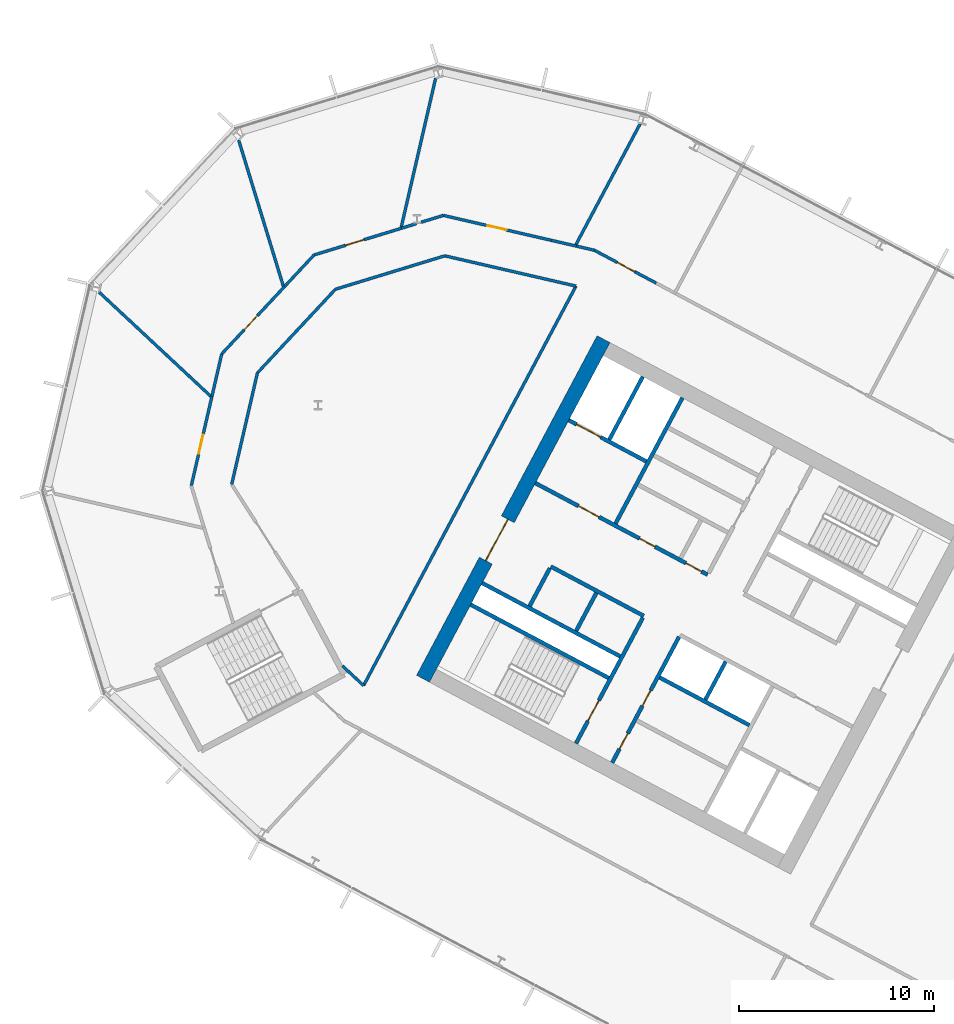
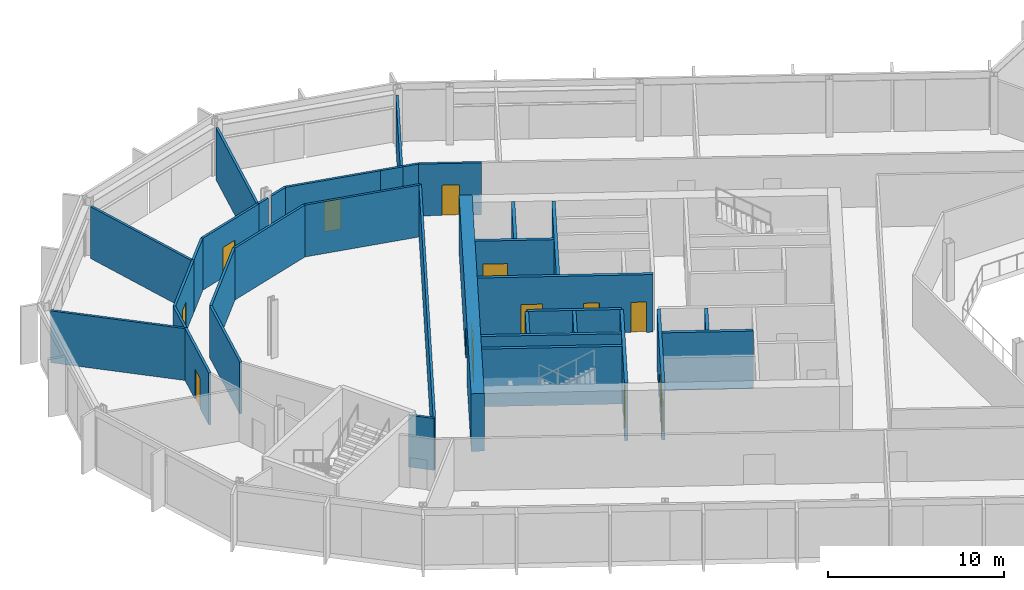
# One storey, part 14 of 28: 35 walls, 13 doors, 13 openings.
"""IFC4 building model written with IfcOpenShell, lengths in metres."""

from ifc_helpers import new_model, si_unit, direction, frame, frame_2d, origin, place, context, subcontext, project, spatial, rectangle, extrude, material, layer, layer_set, type_object, element, fill, save


model = new_model("IFC4")

# Units and contexts
model_context = context("Model", 3, precision=1e-05, world=origin(), true_north=direction((0.0, 1.0)))
body_context = subcontext(model_context, "Body", "Model", "MODEL_VIEW")
ifc_project = project(units=[si_unit("LENGTHUNIT", "METRE"), si_unit("AREAUNIT", "SQUARE_METRE"), si_unit("VOLUMEUNIT", "CUBIC_METRE"), si_unit("PLANEANGLEUNIT", "RADIAN"), si_unit("MASSUNIT", "GRAM", prefix="KILO")], contexts=[model_context])

# Site, building, storey
site_placement = place(None, origin())
site = spatial("IfcSite", under=ifc_project, at=site_placement, CompositionType="ELEMENT")
building_placement = place(site_placement, origin())
building = spatial("IfcBuilding", under=site, at=building_placement, Name="Cormorant Relay Tower", CompositionType="ELEMENT")
storey_placement = place(building_placement, frame((0.0, 0.0, 174.199951171875)))
storey = spatial("IfcBuildingStorey", under=building, at=storey_placement, Name="L37", CompositionType="ELEMENT", Elevation=174.199951171875)

# Walls
ifc_material_1 = material(Name="Concrete 40 MPa", Category="concrete")
ifc_layer_1 = layer(ifc_material_1, 0.199951171875)
ifc_layer_set_1 = layer_set([ifc_layer_1], Name="Core internal wall 200")
wall_type_1 = type_object("IfcWallType", Name="Core internal wall 200", PredefinedType="SOLIDWALL", material=ifc_layer_set_1)
for number, where, z_axis, x_axis, name in (
    (1, (-25.744140625, 11.64990234375, 0.0), (0.0, 0.0, 1.0), (-0.469487830541, -0.882938942948, 0.0), "L37 core A shaft and room wall"),
    (2, (-32.3662109375, 15.1708984375, 0.0), (0.0, 0.0, 1.0), (-0.469487830541, -0.882938942948, 0.0), "L37 core A shaft and room wall"),
):
    element("IfcWall", number, at=place(storey_placement, frame(where, z_axis=z_axis, x_axis=x_axis)), inside=storey, type_object=wall_type_1, Name=name, PredefinedType="SOLIDWALL", context=body_context, shape_type="SweptSolid", body=[
        extrude(rectangle(XDim=2.2001953125, YDim=0.199951171875, at=frame_2d((1.10009765625, 0.0))), origin(), (0.0, 0.0, 1.0), 4.0),
    ])

# Wall, openings, doors
ifc_material_2 = material(Name="Concrete 50 MPa", Category="concrete")
ifc_layer_2 = layer(ifc_material_2, 0.199951171875)
ifc_layer_set_2 = layer_set([ifc_layer_2], Name="Core shaft wall 200")
wall_type_2 = type_object("IfcWallType", Name="Core shaft wall 200", PredefinedType="SHEAR", material=ifc_layer_set_2)
wall_1_placement = place(storey_placement, frame((-28.128173828125, 12.91748046875, 0.0), z_axis=(0.0, 0.0, 1.0), x_axis=(-0.469454336211, -0.882956752176, 0.0)))
wall_1 = element("IfcWall", 3, at=wall_1_placement, inside=storey, type_object=wall_type_2, Name="L37 core A shaft wall", PredefinedType="SHEAR", context=body_context, shape_type="SweptSolid", body=[
    extrude(rectangle(XDim=7.300048828125, YDim=0.199951171875, at=frame_2d((3.64990234375, 0.0))), origin(), (0.0, 0.0, 1.0), 4.0),
])
opening_1_placement = place(wall_1_placement, frame((3.10009765625, 0.0, 0.0)))
opening_1 = element("IfcOpeningElement", 4, at=opening_1_placement, cuts=wall_1, Name="Opening CDD-210", PredefinedType="OPENING", context=body_context, shape_type="SweptSolid", body=[
    extrude(rectangle(XDim=0.89990234375, YDim=2.10009765625, at=frame_2d((0.449951171875, 1.050048828125))), frame((0.0, 0.10986328125, 0.0), z_axis=(0.0, -1.0, 0.0), x_axis=(1.0, 0.0, 0.0)), (0.0, 0.0, 1.0), 0.219970703125),
])
opening_2_placement = place(wall_1_placement, frame((5.60009765625, 0.0, 0.0)))
opening_2 = element("IfcOpeningElement", 5, at=opening_2_placement, cuts=wall_1, Name="Opening CDD-211", PredefinedType="OPENING", context=body_context, shape_type="SweptSolid", body=[
    extrude(rectangle(XDim=0.89990234375, YDim=2.10009765625, at=frame_2d((0.449951171875, 1.050048828125))), frame((0.0, 0.10986328125, 0.0), z_axis=(0.0, -1.0, 0.0), x_axis=(1.0, 0.0, 0.0)), (0.0, 0.0, 1.0), 0.219970703125),
])
ifc_material_3 = material(Name="Steel fire door", Category="steel")
door_type_1 = type_object("IfcDoorType", Name="Core room door 900x2100", OperationType="SINGLE_SWING_LEFT", PredefinedType="DOOR", material=ifc_material_3)
door_1_placement = place(opening_1_placement, origin())
door_1 = element("IfcDoor", 6, at=door_1_placement, inside=storey, type_object=door_type_1, Name="Core room door 900x2100", OperationType="SINGLE_SWING_LEFT", OverallHeight=2.10009765625, OverallWidth=0.89990234375, PredefinedType="DOOR", context=body_context, shape_type="SweptSolid", body=[
    extrude(rectangle(XDim=0.89990234375, YDim=2.10009765625, at=frame_2d((0.449951171875, 1.050048828125))), frame((0.0, 0.02490234375, 0.0), z_axis=(0.0, -1.0, 0.0), x_axis=(1.0, 0.0, 0.0)), (0.0, 0.0, 1.0), 0.050048828125),
])
fill(opening_1, door_1)
door_2_placement = place(opening_2_placement, origin())
door_2 = element("IfcDoor", 7, at=door_2_placement, inside=storey, type_object=door_type_1, Name="Core room door 900x2100", OperationType="SINGLE_SWING_LEFT", OverallHeight=2.10009765625, OverallWidth=0.89990234375, PredefinedType="DOOR", context=body_context, shape_type="SweptSolid", body=[
    extrude(rectangle(XDim=0.89990234375, YDim=2.10009765625, at=frame_2d((0.449951171875, 1.050048828125))), frame((0.0, 0.02490234375, 0.0), z_axis=(0.0, -1.0, 0.0), x_axis=(1.0, 0.0, 0.0)), (0.0, 0.0, 1.0), 0.050048828125),
])
fill(opening_2, door_2)

# Wall, opening, door
wall_2_placement = place(storey_placement, frame((-29.982421875, 13.9033203125, 0.0), z_axis=(0.0, 0.0, 1.0), x_axis=(-0.469454336211, -0.882956752176, 0.0)))
wall_2 = element("IfcWall", 8, at=wall_2_placement, inside=storey, type_object=wall_type_2, Name="L37 core A shaft wall", PredefinedType="SHEAR", context=body_context, shape_type="SweptSolid", body=[
    extrude(rectangle(XDim=7.300048828125, YDim=0.199951171875, at=frame_2d((3.64990234375, 0.0))), origin(), (0.0, 0.0, 1.0), 4.0),
])
opening_3_placement = place(wall_2_placement, frame((4.800048828125, 0.0, 0.0)))
opening_3 = element("IfcOpeningElement", 9, at=opening_3_placement, cuts=wall_2, Name="Opening CDB-035", PredefinedType="OPENING", context=body_context, shape_type="SweptSolid", body=[
    extrude(rectangle(XDim=1.199951171875, YDim=2.10009765625, at=frame_2d((0.60009765625, 1.050048828125))), frame((0.0, 0.10986328125, 0.0), z_axis=(0.0, -1.0, 0.0), x_axis=(1.0, 0.0, 0.0)), (0.0, 0.0, 1.0), 0.219970703125),
])
ifc_material_4 = material(Name="Steel fire door", Category="steel")
door_type_2 = type_object("IfcDoorType", Name="Core stair door 1200x2100", OperationType="SINGLE_SWING_LEFT", PredefinedType="DOOR", material=ifc_material_4)
door_3_placement = place(opening_3_placement, frame((1.199951171875, 0.0, 0.0), z_axis=(0.0, 0.0, 1.0), x_axis=(-1.0, 0.0, 0.0)))
door_3 = element("IfcDoor", 10, at=door_3_placement, inside=storey, type_object=door_type_2, Name="Core stair door 1200x2100", OperationType="SINGLE_SWING_RIGHT", OverallHeight=2.10009765625, OverallWidth=1.199951171875, PredefinedType="DOOR", context=body_context, shape_type="SweptSolid", body=[
    extrude(rectangle(XDim=1.199951171875, YDim=2.10009765625, at=frame_2d((0.60009765625, 1.050048828125))), frame((0.0, 0.02490234375, 0.0), z_axis=(0.0, -1.0, 0.0), x_axis=(1.0, 0.0, 0.0)), (0.0, 0.0, 1.0), 0.050048828125),
])
fill(opening_3, door_3)

# Walls
wall_3_placement = place(storey_placement, frame((-27.955322265625, 25.170654296875, 0.0), z_axis=(0.0, 0.0, 1.0), x_axis=(-0.469480409012, -0.88294288918, 0.0)))
element("IfcWall", 11, at=wall_3_placement, inside=storey, type_object=wall_type_2, Name="L37 core A shaft wall", PredefinedType="SHEAR", context=body_context, shape_type="SweptSolid", body=[
    extrude(rectangle(XDim=7.300048828125, YDim=0.199951171875, at=frame_2d((3.64990234375, 0.0))), origin(), (0.0, 0.0, 1.0), 4.0),
])
wall_4_placement = place(storey_placement, frame((-34.750244140625, 16.4384765625, 0.0), z_axis=(0.0, 0.0, 1.0), x_axis=(-0.469401318492, -0.882984938828, 0.0)))
element("IfcWall", 12, at=wall_4_placement, inside=storey, type_object=wall_type_2, Name="L37 core A shaft wall", PredefinedType="SHEAR", context=body_context, shape_type="SweptSolid", body=[
    extrude(rectangle(XDim=2.199951171875, YDim=0.199951171875, at=frame_2d((1.10009765625, 0.0))), origin(), (0.0, 0.0, 1.0), 4.0),
])
wall_5_placement = place(storey_placement, frame((-29.986083984375, 26.250244140625, 0.0), z_axis=(0.0, 0.0, 1.0), x_axis=(-0.469494272526, -0.882935517501, 0.0)))
element("IfcWall", 13, at=wall_5_placement, inside=storey, type_object=wall_type_2, Name="L37 core A shaft wall", PredefinedType="SHEAR", context=body_context, shape_type="SweptSolid", body=[
    extrude(rectangle(XDim=3.64990234375, YDim=0.199951171875, at=frame_2d((1.824951171875, 0.0))), origin(), (0.0, 0.0, 1.0), 4.0),
])

# Wall, opening, door
wall_6_placement = place(storey_placement, frame((-29.80419921875, 21.906494140625, 0.0), z_axis=(0.0, 0.0, 1.0), x_axis=(-0.882960433586, 0.469447412093, 0.0)))
wall_6 = element("IfcWall", 14, at=wall_6_placement, inside=storey, type_object=wall_type_2, Name="L37 core A shaft wall", PredefinedType="SHEAR", context=body_context, shape_type="SweptSolid", body=[
    extrude(rectangle(XDim=4.5, YDim=0.199951171875, at=frame_2d((2.25, 0.0))), origin(), (0.0, 0.0, 1.0), 4.0),
])
opening_4_placement = place(wall_6_placement, frame((2.64990234375, 0.0, 0.0)))
opening_4 = element("IfcOpeningElement", 15, at=opening_4_placement, cuts=wall_6, Name="Opening LD3-013", PredefinedType="OPENING", context=body_context, shape_type="SweptSolid", body=[
    extrude(rectangle(XDim=1.39990234375, YDim=2.39990234375, at=frame_2d((0.699951171875, 1.199951171875))), frame((0.0, 0.10986328125, 0.0), z_axis=(0.0, -1.0, 0.0), x_axis=(1.0, 0.0, 0.0)), (0.0, 0.0, 1.0), 0.219970703125),
])
ifc_material_5 = material(Name="Stainless steel 316", Category="steel")
door_type_3 = type_object("IfcDoorType", Name="Lift landing door 1400x2400", OperationType="DOUBLE_DOOR_SLIDING", PredefinedType="DOOR", material=ifc_material_5)
door_4_placement = place(opening_4_placement, origin())
door_4 = element("IfcDoor", 16, at=door_4_placement, inside=storey, type_object=door_type_3, Name="SV1 landing door", OperationType="DOUBLE_DOOR_SLIDING", OverallHeight=2.39990234375, OverallWidth=1.39990234375, PredefinedType="DOOR", context=body_context, shape_type="SweptSolid", body=[
    extrude(rectangle(XDim=1.39990234375, YDim=2.39990234375, at=frame_2d((0.699951171875, 1.199951171875))), frame((0.0, 0.02490234375, 0.0), z_axis=(0.0, -1.0, 0.0), x_axis=(1.0, 0.0, 0.0)), (0.0, 0.0, 1.0), 0.050048828125),
])
fill(opening_4, door_4)

# Wall, openings, doors
wall_7_placement = place(storey_placement, frame((-26.66162109375, 16.1015625, 0.0), z_axis=(0.0, 0.0, 1.0), x_axis=(-0.882940221191, 0.469485426614, 0.0)))
wall_7 = element("IfcWall", 17, at=wall_7_placement, inside=storey, type_object=wall_type_2, Name="L37 core A shaft wall", PredefinedType="SHEAR", context=body_context, shape_type="SweptSolid", body=[
    extrude(rectangle(XDim=10.0, YDim=0.199951171875, at=frame_2d((5.0, 0.0))), origin(), (0.0, 0.0, 1.0), 4.0),
])
opening_5_placement = place(wall_7_placement, frame((6.300048828125, 0.0, 0.0)))
opening_5 = element("IfcOpeningElement", 18, at=opening_5_placement, cuts=wall_7, Name="Opening CDC-026", PredefinedType="OPENING", context=body_context, shape_type="SweptSolid", body=[
    extrude(rectangle(XDim=1.199951171875, YDim=2.10009765625, at=frame_2d((0.60009765625, 1.050048828125))), frame((0.0, 0.10986328125, 0.0), z_axis=(0.0, -1.0, 0.0), x_axis=(1.0, 0.0, 0.0)), (0.0, 0.0, 1.0), 0.219970703125),
])
opening_6_placement = place(wall_7_placement, frame((0.360107421875, 0.0, 0.0)))
opening_6 = element("IfcOpeningElement", 19, at=opening_6_placement, cuts=wall_7, Name="Opening CDD-170", PredefinedType="OPENING", context=body_context, shape_type="SweptSolid", body=[
    extrude(rectangle(XDim=0.89990234375, YDim=2.10009765625, at=frame_2d((0.449951171875, 1.050048828125))), frame((0.0, 0.10986328125, 0.0), z_axis=(0.0, -1.0, 0.0), x_axis=(1.0, 0.0, 0.0)), (0.0, 0.0, 1.0), 0.219970703125),
])
opening_7_placement = place(wall_7_placement, frame((3.06005859375, 0.0, 0.0)))
opening_7 = element("IfcOpeningElement", 20, at=opening_7_placement, cuts=wall_7, Name="Opening CDD-171", PredefinedType="OPENING", context=body_context, shape_type="SweptSolid", body=[
    extrude(rectangle(XDim=0.89990234375, YDim=2.10009765625, at=frame_2d((0.449951171875, 1.050048828125))), frame((0.0, 0.10986328125, 0.0), z_axis=(0.0, -1.0, 0.0), x_axis=(1.0, 0.0, 0.0)), (0.0, 0.0, 1.0), 0.219970703125),
])
ifc_material_6 = material(Name="Steel fire door", Category="steel")
door_type_4 = type_object("IfcDoorType", Name="Core lobby door 1200x2100", OperationType="SINGLE_SWING_LEFT", PredefinedType="DOOR", material=ifc_material_6)
door_5_placement = place(opening_5_placement, origin())
door_5 = element("IfcDoor", 21, at=door_5_placement, inside=storey, type_object=door_type_4, Name="Core lobby door 1200x2100", OperationType="SINGLE_SWING_LEFT", OverallHeight=2.10009765625, OverallWidth=1.199951171875, PredefinedType="DOOR", context=body_context, shape_type="SweptSolid", body=[
    extrude(rectangle(XDim=1.199951171875, YDim=2.10009765625, at=frame_2d((0.60009765625, 1.050048828125))), frame((0.0, 0.02490234375, 0.0), z_axis=(0.0, -1.0, 0.0), x_axis=(1.0, 0.0, 0.0)), (0.0, 0.0, 1.0), 0.050048828125),
])
fill(opening_5, door_5)
door_6_placement = place(opening_6_placement, origin())
door_6 = element("IfcDoor", 22, at=door_6_placement, inside=storey, type_object=door_type_1, Name="Core room door 900x2100", OperationType="SINGLE_SWING_LEFT", OverallHeight=2.10009765625, OverallWidth=0.89990234375, PredefinedType="DOOR", context=body_context, shape_type="SweptSolid", body=[
    extrude(rectangle(XDim=0.89990234375, YDim=2.10009765625, at=frame_2d((0.449951171875, 1.050048828125))), frame((0.0, 0.02490234375, 0.0), z_axis=(0.0, -1.0, 0.0), x_axis=(1.0, 0.0, 0.0)), (0.0, 0.0, 1.0), 0.050048828125),
])
fill(opening_6, door_6)
door_7_placement = place(opening_7_placement, origin())
door_7 = element("IfcDoor", 23, at=door_7_placement, inside=storey, type_object=door_type_1, Name="Core room door 900x2100", OperationType="SINGLE_SWING_LEFT", OverallHeight=2.10009765625, OverallWidth=0.89990234375, PredefinedType="DOOR", context=body_context, shape_type="SweptSolid", body=[
    extrude(rectangle(XDim=0.89990234375, YDim=2.10009765625, at=frame_2d((0.449951171875, 1.050048828125))), frame((0.0, 0.02490234375, 0.0), z_axis=(0.0, -1.0, 0.0), x_axis=(1.0, 0.0, 0.0)), (0.0, 0.0, 1.0), 0.050048828125),
])
fill(opening_7, door_7)

# Walls
wall_8_placement = place(storey_placement, frame((-29.935302734375, 13.991455078125, 0.0), z_axis=(0.0, 0.0, 1.0), x_axis=(-0.882952937579, 0.469461510692, 0.0)))
element("IfcWall", 24, at=wall_8_placement, inside=storey, type_object=wall_type_2, Name="L37 core A shaft wall", PredefinedType="SHEAR", context=body_context, shape_type="SweptSolid", body=[
    extrude(rectangle(XDim=5.400146484375, YDim=0.199951171875, at=frame_2d((2.7001953125, 0.0))), origin(), (0.0, 0.0, 1.0), 4.0),
])
wall_9_placement = place(storey_placement, frame((-24.5283203125, 8.3984375, 0.0), z_axis=(0.0, 0.0, 1.0), x_axis=(-0.882953967957, 0.469459572775, 0.0)))
element("IfcWall", 25, at=wall_9_placement, inside=storey, type_object=wall_type_2, Name="L37 core A shaft wall", PredefinedType="SHEAR", context=body_context, shape_type="SweptSolid", body=[
    extrude(rectangle(XDim=5.199951171875, YDim=0.199951171875, at=frame_2d((2.60009765625, 0.0))), origin(), (0.0, 0.0, 1.0), 4.0),
])
for number, where, z_axis, x_axis, name in (
    (26, (-31.150390625, 11.91943359375, 0.0), (0.0, 0.0, 1.0), (-0.882940221191, 0.469485426614, 0.0), "L37 core A shaft wall"),
    (27, (-31.7373046875, 10.815673828125, 0.0), (0.0, 0.0, 1.0), (-0.882940221191, 0.469485426614, 0.0), "L37 core A shaft wall"),
):
    element("IfcWall", number, at=place(storey_placement, frame(where, z_axis=z_axis, x_axis=x_axis)), inside=storey, type_object=wall_type_2, Name=name, PredefinedType="SHEAR", context=body_context, shape_type="SweptSolid", body=[
        extrude(rectangle(XDim=8.0, YDim=0.199951171875, at=frame_2d((4.0, 0.0))), origin(), (0.0, 0.0, 1.0), 4.0),
    ])

# Wall, opening, door
ifc_material_7 = material(Name="Concrete 60 MPa", Category="concrete")
ifc_layer_3 = layer(ifc_material_7, 0.75)
ifc_layer_set_3 = layer_set([ifc_layer_3], Name="Core wall 750")
wall_type_3 = type_object("IfcWallType", Name="Core wall 750", PredefinedType="SHEAR", material=ifc_layer_set_3)
wall_10_placement = place(storey_placement, frame((-31.995849609375, 28.16845703125, 0.0), z_axis=(0.0, 0.0, 1.0), x_axis=(-0.469479580143, -0.882943329908, 0.0)))
wall_10 = element("IfcWall", 28, at=wall_10_placement, inside=storey, type_object=wall_type_3, Name="L37 core A wall", PredefinedType="SHEAR", context=body_context, shape_type="SweptSolid", body=[
    extrude(rectangle(XDim=19.699951171875, YDim=0.75, at=frame_2d((9.85009765625, 0.0))), origin(), (0.0, 0.0, 1.0), 4.0),
])
opening_8_placement = place(wall_10_placement, frame((10.449951171875, 0.0, 0.0)))
opening_8 = element("IfcOpeningElement", 29, at=opening_8_placement, cuts=wall_10, Name="Opening CDA-027", PredefinedType="OPENING", context=body_context, shape_type="SweptSolid", body=[
    extrude(rectangle(XDim=2.39990234375, YDim=2.39990234375, at=frame_2d((1.199951171875, 1.199951171875))), frame((0.0, 0.385009765625, 0.0), z_axis=(0.0, -1.0, 0.0), x_axis=(1.0, 0.0, 0.0)), (0.0, 0.0, 1.0), 0.77001953125),
])
ifc_material_8 = material(Name="Steel fire door", Category="steel")
door_type_5 = type_object("IfcDoorType", Name="Core lobby door 2400x2400", OperationType="DOUBLE_DOOR_SINGLE_SWING", PredefinedType="DOOR", material=ifc_material_8)
door_8_placement = place(opening_8_placement, origin())
door_8 = element("IfcDoor", 30, at=door_8_placement, inside=storey, type_object=door_type_5, Name="Core lobby door 2400x2400", OperationType="DOUBLE_DOOR_SINGLE_SWING", OverallHeight=2.39990234375, OverallWidth=2.39990234375, PredefinedType="DOOR", context=body_context, shape_type="SweptSolid", body=[
    extrude(rectangle(XDim=2.39990234375, YDim=2.39990234375, at=frame_2d((1.199951171875, 1.199951171875))), frame((0.0, 0.02490234375, 0.0), z_axis=(0.0, -1.0, 0.0), x_axis=(1.0, 0.0, 0.0)), (0.0, 0.0, 1.0), 0.050048828125),
])
fill(opening_8, door_8)

ifc_material_9 = material(Name="Gypsum board fire partition")
ifc_layer_4 = layer(ifc_material_9, 0.14990234375)
ifc_layer_set_4 = layer_set([ifc_layer_4], Name="Corridor partition 150 EI 60")
wall_type_4 = type_object("IfcWallType", Name="Corridor partition 150 EI 60", PredefinedType="PARTITIONING", material=ifc_layer_set_4)
wall_11_placement = place(storey_placement, frame((-52.055908203125, 25.24609375, 0.0), z_axis=(0.0, 0.0, 1.0), x_axis=(-0.224961765576, -0.97436759184, 0.0)))
wall_11 = element("IfcWall", 31, at=wall_11_placement, inside=storey, type_object=wall_type_4, Name="wall/L37/part/004", PredefinedType="PARTITIONING", context=body_context, shape_type="SweptSolid", body=[
    extrude(rectangle(XDim=4.707763671875, YDim=0.14990234375, at=frame_2d((2.35400390625, 0.0))), origin(), (0.0, 0.0, 1.0), 3.60009765625),
])
opening_9_placement = place(wall_11_placement, frame((2.02392578125, 0.0, 0.0)))
opening_9 = element("IfcOpeningElement", 32, at=opening_9_placement, cuts=wall_11, Name="Opening DS-083", PredefinedType="OPENING", context=body_context, shape_type="SweptSolid", body=[
    extrude(rectangle(XDim=1.0, YDim=2.10009765625, at=frame_2d((0.5, 1.050048828125))), frame((0.0, 0.0849609375, 0.0), z_axis=(0.0, -1.0, 0.0), x_axis=(1.0, 0.0, 0.0)), (0.0, 0.0, 1.0), 0.169921875),
])
ifc_material_10 = material(Name="Timber door leaf", Category="wood")
door_type_6 = type_object("IfcDoorType", Name="Suite door 1000x2100", OperationType="SINGLE_SWING_LEFT", PredefinedType="DOOR", material=ifc_material_10)
door_9_placement = place(opening_9_placement, frame((1.0, 0.0, 0.0), z_axis=(0.0, 0.0, 1.0), x_axis=(-1.0, 0.0, 0.0)))
door_9 = element("IfcDoor", 33, at=door_9_placement, inside=storey, type_object=door_type_6, Name="door/L37/014", OperationType="SINGLE_SWING_RIGHT", OverallHeight=2.10009765625, OverallWidth=1.0, PredefinedType="DOOR", context=body_context, shape_type="SweptSolid", body=[
    extrude(rectangle(XDim=1.0, YDim=2.10009765625, at=frame_2d((0.5, 1.050048828125))), frame((0.0, 0.02490234375, 0.0), z_axis=(0.0, -1.0, 0.0), x_axis=(1.0, 0.0, 0.0)), (0.0, 0.0, 1.0), 0.050048828125),
])
fill(opening_9, door_9)

wall_12_placement = place(storey_placement, frame((-48.344970703125, 30.85595703125, 0.0), z_axis=(0.0, 0.0, 1.0), x_axis=(-0.682044743799, -0.731310445335, 0.0)))
wall_12 = element("IfcWall", 34, at=wall_12_placement, inside=storey, type_object=wall_type_4, Name="wall/L37/part/008", PredefinedType="PARTITIONING", context=body_context, shape_type="SweptSolid", body=[
    extrude(rectangle(XDim=4.707763671875, YDim=0.14990234375, at=frame_2d((2.35400390625, 0.0))), origin(), (0.0, 0.0, 1.0), 3.60009765625),
])
opening_10_placement = place(wall_12_placement, frame((2.02392578125, 0.0, 0.0)))
opening_10 = element("IfcOpeningElement", 35, at=opening_10_placement, cuts=wall_12, Name="Opening DS-082", PredefinedType="OPENING", context=body_context, shape_type="SweptSolid", body=[
    extrude(rectangle(XDim=1.0, YDim=2.10009765625, at=frame_2d((0.5, 1.050048828125))), frame((0.0, 0.0849609375, 0.0), z_axis=(0.0, -1.0, 0.0), x_axis=(1.0, 0.0, 0.0)), (0.0, 0.0, 1.0), 0.169921875),
])
door_10_placement = place(opening_10_placement, frame((1.0, 0.0, 0.0), z_axis=(0.0, 0.0, 1.0), x_axis=(-1.0, 0.0, 0.0)))
door_10 = element("IfcDoor", 36, at=door_10_placement, inside=storey, type_object=door_type_6, Name="door/L37/013", OperationType="SINGLE_SWING_RIGHT", OverallHeight=2.10009765625, OverallWidth=1.0, PredefinedType="DOOR", context=body_context, shape_type="SweptSolid", body=[
    extrude(rectangle(XDim=1.0, YDim=2.10009765625, at=frame_2d((0.5, 1.050048828125))), frame((0.0, 0.02490234375, 0.0), z_axis=(0.0, -1.0, 0.0), x_axis=(1.0, 0.0, 0.0)), (0.0, 0.0, 1.0), 0.050048828125),
])
fill(opening_10, door_10)

# Wall
wall_13_placement = place(storey_placement, frame((-51.555908203125, 27.4130859375, 0.0), z_axis=(0.0, 0.0, 1.0), x_axis=(-0.225019992363, -0.974354146621, 0.0)))
element("IfcWall", 37, at=wall_13_placement, inside=storey, type_object=wall_type_4, Name="wall/L37/part/009", PredefinedType="PARTITIONING", context=body_context, shape_type="SweptSolid", body=[
    extrude(rectangle(XDim=2.221923828125, YDim=0.14990234375, at=frame_2d((1.11083984375, 0.0))), origin(), (0.0, 0.0, 1.0), 3.60009765625),
])

# Wall, opening, door
wall_14_placement = place(storey_placement, frame((-42.325927734375, 33.85791015625, 0.0), z_axis=(0.0, 0.0, 1.0), x_axis=(-0.956351168554, -0.292219852858, 0.0)))
wall_14 = element("IfcWall", 38, at=wall_14_placement, inside=storey, type_object=wall_type_4, Name="wall/L37/part/013", PredefinedType="PARTITIONING", context=body_context, shape_type="SweptSolid", body=[
    extrude(rectangle(XDim=4.708740234375, YDim=0.14990234375, at=frame_2d((2.3544921875, 0.0))), origin(), (0.0, 0.0, 1.0), 3.60009765625),
])
opening_11_placement = place(wall_14_placement, frame((2.02490234375, 0.0, 0.0)))
opening_11 = element("IfcOpeningElement", 39, at=opening_11_placement, cuts=wall_14, Name="Opening DS-081", PredefinedType="OPENING", context=body_context, shape_type="SweptSolid", body=[
    extrude(rectangle(XDim=1.0, YDim=2.10009765625, at=frame_2d((0.5, 1.050048828125))), frame((0.0, 0.0849609375, 0.0), z_axis=(0.0, -1.0, 0.0), x_axis=(1.0, 0.0, 0.0)), (0.0, 0.0, 1.0), 0.169921875),
])
door_11_placement = place(opening_11_placement, frame((1.0, 0.0, 0.0), z_axis=(0.0, 0.0, 1.0), x_axis=(-1.0, 0.0, 0.0)))
door_11 = element("IfcDoor", 40, at=door_11_placement, inside=storey, type_object=door_type_6, Name="door/L37/012", OperationType="SINGLE_SWING_RIGHT", OverallHeight=2.10009765625, OverallWidth=1.0, PredefinedType="DOOR", context=body_context, shape_type="SweptSolid", body=[
    extrude(rectangle(XDim=1.0, YDim=2.10009765625, at=frame_2d((0.5, 1.050048828125))), frame((0.0, 0.02490234375, 0.0), z_axis=(0.0, -1.0, 0.0), x_axis=(1.0, 0.0, 0.0)), (0.0, 0.0, 1.0), 0.050048828125),
])
fill(opening_11, door_11)

# Walls
wall_15_placement = place(storey_placement, frame((-46.8291015625, 32.48193359375, 0.0), z_axis=(0.0, 0.0, 1.0), x_axis=(-0.681891349178, -0.731453476249, 0.0)))
element("IfcWall", 41, at=wall_15_placement, inside=storey, type_object=wall_type_4, Name="wall/L37/part/014", PredefinedType="PARTITIONING", context=body_context, shape_type="SweptSolid", body=[
    extrude(rectangle(XDim=2.2216796875, YDim=0.14990234375, at=frame_2d((1.11083984375, 0.0))), origin(), (0.0, 0.0, 1.0), 3.60009765625),
])
wall_16_placement = place(storey_placement, frame((-51.0458984375, 20.73095703125, 0.0), z_axis=(0.0, 0.0, 1.0), x_axis=(0.224889933684, 0.974384173582, 0.0)))
element("IfcWall", 42, at=wall_16_placement, inside=storey, type_object=wall_type_4, Name="wall/L37/part/016", PredefinedType="PARTITIONING", context=body_context, shape_type="SweptSolid", body=[
    extrude(rectangle(XDim=5.860107421875, YDim=0.14990234375, at=frame_2d((2.93017578125, 0.0))), origin(), (0.0, 0.0, 1.0), 3.60009765625),
])
wall_17_placement = place(storey_placement, frame((-49.72802734375, 26.44091796875, 0.0), z_axis=(0.0, 0.0, 1.0), x_axis=(0.682098526533, 0.731260282049, 0.0)))
element("IfcWall", 43, at=wall_17_placement, inside=storey, type_object=wall_type_4, Name="wall/L37/part/017", PredefinedType="PARTITIONING", context=body_context, shape_type="SweptSolid", body=[
    extrude(rectangle(XDim=5.85986328125, YDim=0.14990234375, at=frame_2d((2.929931640625, 0.0))), origin(), (0.0, 0.0, 1.0), 3.60009765625),
])
wall_18_placement = place(storey_placement, frame((-45.73095703125, 30.72607421875, 0.0), z_axis=(0.0, 0.0, 1.0), x_axis=(0.956310804041, 0.292351921619, 0.0)))
element("IfcWall", 44, at=wall_18_placement, inside=storey, type_object=wall_type_4, Name="wall/L37/part/018", PredefinedType="PARTITIONING", context=body_context, shape_type="SweptSolid", body=[
    extrude(rectangle(XDim=5.85888671875, YDim=0.14990234375, at=frame_2d((2.929443359375, 0.0))), origin(), (0.0, 0.0, 1.0), 3.60009765625),
])
wall_19_placement = place(storey_placement, frame((-40.1279296875, 32.43896484375, 0.0), z_axis=(0.0, 0.0, 1.0), x_axis=(0.97437567891, -0.224926735515, 0.0)))
element("IfcWall", 45, at=wall_19_placement, inside=storey, type_object=wall_type_4, Name="wall/L37/part/019", PredefinedType="PARTITIONING", context=body_context, shape_type="SweptSolid", body=[
    extrude(rectangle(XDim=6.895751953125, YDim=0.14990234375, at=frame_2d((3.44775390625, 0.0))), origin(), (0.0, 0.0, 1.0), 3.60009765625),
])
wall_20_placement = place(storey_placement, frame((-33.408935546875, 30.887939453125, 0.0), z_axis=(0.0, 0.0, 1.0), x_axis=(-0.469498189487, -0.882933434676, 0.0)))
element("IfcWall", 46, at=wall_20_placement, inside=storey, type_object=wall_type_4, Name="wall/L37/part/020", PredefinedType="PARTITIONING", context=body_context, shape_type="SweptSolid", body=[
    extrude(rectangle(XDim=23.176025390625, YDim=0.14990234375, at=frame_2d((11.587890625, 0.0))), origin(), (0.0, 0.0, 1.0), 3.60009765625),
])
wall_21_placement = place(storey_placement, frame((-44.2900390625, 10.425048828125, 0.0), z_axis=(0.0, 0.0, 1.0), x_axis=(-0.731652828982, 0.681677444135, 0.0)))
element("IfcWall", 47, at=wall_21_placement, inside=storey, type_object=wall_type_4, Name="wall/L37/part/021", PredefinedType="PARTITIONING", context=body_context, shape_type="SweptSolid", body=[
    extrude(rectangle(XDim=1.480224609375, YDim=0.14990234375, at=frame_2d((0.740234375, 0.0))), origin(), (0.0, 0.0, 1.0), 3.60009765625),
])

# Wall, opening, door
wall_22_placement = place(storey_placement, frame((-34.677001953125, 33.23388671875, 0.0), z_axis=(0.0, 0.0, 1.0), x_axis=(-0.974367234575, 0.224963312978, 0.0)))
wall_22 = element("IfcWall", 48, at=wall_22_placement, inside=storey, type_object=wall_type_4, Name="wall/L37/part/026", PredefinedType="PARTITIONING", context=body_context, shape_type="SweptSolid", body=[
    extrude(rectangle(XDim=5.668212890625, YDim=0.14990234375, at=frame_2d((2.833984375, 0.0))), origin(), (0.0, 0.0, 1.0), 3.60009765625),
])
opening_12_placement = place(wall_22_placement, frame((2.35009765625, 0.0, 0.0)))
opening_12 = element("IfcOpeningElement", 49, at=opening_12_placement, cuts=wall_22, Name="Opening DS-080", PredefinedType="OPENING", context=body_context, shape_type="SweptSolid", body=[
    extrude(rectangle(XDim=1.0, YDim=2.10009765625, at=frame_2d((0.5, 1.050048828125))), frame((0.0, 0.0849609375, 0.0), z_axis=(0.0, -1.0, 0.0), x_axis=(1.0, 0.0, 0.0)), (0.0, 0.0, 1.0), 0.169921875),
])
door_12_placement = place(opening_12_placement, frame((1.0, 0.0, 0.0), z_axis=(0.0, 0.0, 1.0), x_axis=(-1.0, 0.0, 0.0)))
door_12 = element("IfcDoor", 50, at=door_12_placement, inside=storey, type_object=door_type_6, Name="door/L37/011", OperationType="SINGLE_SWING_RIGHT", OverallHeight=2.10009765625, OverallWidth=1.0, PredefinedType="DOOR", context=body_context, shape_type="SweptSolid", body=[
    extrude(rectangle(XDim=1.0, YDim=2.10009765625, at=frame_2d((0.5, 1.050048828125))), frame((0.0, 0.02490234375, 0.0), z_axis=(0.0, -1.0, 0.0), x_axis=(1.0, 0.0, 0.0)), (0.0, 0.0, 1.0), 0.050048828125),
])
fill(opening_12, door_12)

# Walls
wall_23_placement = place(storey_placement, frame((-40.199951171875, 34.509033203125, 0.0), z_axis=(0.0, 0.0, 1.0), x_axis=(-0.956177669283, -0.29278706386, 0.0)))
element("IfcWall", 51, at=wall_23_placement, inside=storey, type_object=wall_type_4, Name="wall/L37/part/027", PredefinedType="PARTITIONING", context=body_context, shape_type="SweptSolid", body=[
    extrude(rectangle(XDim=1.18896484375, YDim=0.14990234375, at=frame_2d((0.594482421875, 0.0))), origin(), (0.0, 0.0, 1.0), 3.60009765625),
])
wall_24_placement = place(storey_placement, frame((-41.58203125, 34.0869140625, 0.0), z_axis=(0.0, 0.0, 1.0), x_axis=(-0.956187735772, -0.292754186919, 0.0)))
element("IfcWall", 52, at=wall_24_placement, inside=storey, type_object=wall_type_4, Name="wall/L37/part/028", PredefinedType="PARTITIONING", context=body_context, shape_type="SweptSolid", body=[
    extrude(rectangle(XDim=0.798828125, YDim=0.14990234375, at=frame_2d((0.3994140625, 0.0))), origin(), (0.0, 0.0, 1.0), 3.60009765625),
])
wall_25_placement = place(storey_placement, frame((-34.677001953125, 33.23388671875, 0.0), z_axis=(0.0, 0.0, 1.0), x_axis=(0.974313870049, -0.225194321931, 0.0)))
element("IfcWall", 53, at=wall_25_placement, inside=storey, type_object=wall_type_4, Name="wall/L37/part/029", PredefinedType="PARTITIONING", context=body_context, shape_type="SweptSolid", body=[
    extrude(rectangle(XDim=1.331298828125, YDim=0.14990234375, at=frame_2d((0.66552734375, 0.0))), origin(), (0.0, 0.0, 1.0), 3.60009765625),
])

# Wall, opening, door
wall_26_placement = place(storey_placement, frame((-29.302001953125, 31.0400390625, 0.0), z_axis=(0.0, 0.0, 1.0), x_axis=(-0.882988816549, 0.469394024087, 0.0)))
wall_26 = element("IfcWall", 54, at=wall_26_placement, inside=storey, type_object=wall_type_4, Name="wall/L37/part/031", PredefinedType="PARTITIONING", context=body_context, shape_type="SweptSolid", body=[
    extrude(rectangle(XDim=3.587890625, YDim=0.14990234375, at=frame_2d((1.7939453125, 0.0))), origin(), (0.0, 0.0, 1.0), 3.60009765625),
])
opening_13_placement = place(wall_26_placement, frame((1.25, 0.0, 0.0)))
opening_13 = element("IfcOpeningElement", 55, at=opening_13_placement, cuts=wall_26, Name="Opening DS-079", PredefinedType="OPENING", context=body_context, shape_type="SweptSolid", body=[
    extrude(rectangle(XDim=1.0, YDim=2.10009765625, at=frame_2d((0.5, 1.050048828125))), frame((0.0, 0.0849609375, 0.0), z_axis=(0.0, -1.0, 0.0), x_axis=(1.0, 0.0, 0.0)), (0.0, 0.0, 1.0), 0.169921875),
])
door_13_placement = place(opening_13_placement, frame((1.0, 0.0, 0.0), z_axis=(0.0, 0.0, 1.0), x_axis=(-1.0, 0.0, 0.0)))
door_13 = element("IfcDoor", 56, at=door_13_placement, inside=storey, type_object=door_type_6, Name="door/L37/010", OperationType="SINGLE_SWING_RIGHT", OverallHeight=2.10009765625, OverallWidth=1.0, PredefinedType="DOOR", context=body_context, shape_type="SweptSolid", body=[
    extrude(rectangle(XDim=1.0, YDim=2.10009765625, at=frame_2d((0.5, 1.050048828125))), frame((0.0, 0.02490234375, 0.0), z_axis=(0.0, -1.0, 0.0), x_axis=(1.0, 0.0, 0.0)), (0.0, 0.0, 1.0), 0.050048828125),
])
fill(opening_13, door_13)

# Walls
wall_27_placement = place(storey_placement, frame((-32.469970703125, 32.72412109375, 0.0), z_axis=(0.0, 0.0, 1.0), x_axis=(-0.974395601839, 0.224840412552, 0.0)))
element("IfcWall", 57, at=wall_27_placement, inside=storey, type_object=wall_type_4, Name="wall/L37/part/032", PredefinedType="PARTITIONING", context=body_context, shape_type="SweptSolid", body=[
    extrude(rectangle(XDim=0.933837890625, YDim=0.14990234375, at=frame_2d((0.466796875, 0.0))), origin(), (0.0, 0.0, 1.0), 3.60009765625),
])
ifc_material_11 = material(Name="Gypsum board partition")
ifc_layer_5 = layer(ifc_material_11, 0.14990234375)
ifc_layer_set_5 = layer_set([ifc_layer_5], Name="Tenant partition 150")
wall_type_5 = type_object("IfcWallType", Name="Tenant partition 150", PredefinedType="PARTITIONING", material=ifc_layer_set_5)
wall_28_placement = place(storey_placement, frame((-57.841064453125, 30.580078125, 0.0), z_axis=(0.0, 0.0, 1.0), x_axis=(0.731373012185, -0.681977651428, 0.0)))
element("IfcWall", 58, at=wall_28_placement, inside=storey, type_object=wall_type_5, Name="wall/L37/part/002", PredefinedType="PARTITIONING", context=body_context, shape_type="SweptSolid", body=[
    extrude(rectangle(XDim=7.893310546875, YDim=0.14990234375, at=frame_2d((3.94677734375, 0.0))), origin(), (0.0, 0.0, 1.0), 3.60009765625),
])
wall_29_placement = place(storey_placement, frame((-50.68798828125, 38.365966796875, 0.0), z_axis=(0.0, 0.0, 1.0), x_axis=(0.292463739097, -0.956276613388, 0.0)))
element("IfcWall", 59, at=wall_29_placement, inside=storey, type_object=wall_type_5, Name="wall/L37/part/010", PredefinedType="PARTITIONING", context=body_context, shape_type="SweptSolid", body=[
    extrude(rectangle(XDim=7.891845703125, YDim=0.14990234375, at=frame_2d((3.94580078125, 0.0))), origin(), (0.0, 0.0, 1.0), 3.60009765625),
])
wall_30_placement = place(storey_placement, frame((-40.59912109375, 41.533935546875, 0.0), z_axis=(0.0, 0.0, 1.0), x_axis=(-0.225013130649, -0.974355731258, 0.0)))
element("IfcWall", 60, at=wall_30_placement, inside=storey, type_object=wall_type_5, Name="wall/L37/part/025", PredefinedType="PARTITIONING", context=body_context, shape_type="SweptSolid", body=[
    extrude(rectangle(XDim=7.892333984375, YDim=0.14990234375, at=frame_2d((3.9462890625, 0.0))), origin(), (0.0, 0.0, 1.0), 3.60009765625),
])
wall_31_placement = place(storey_placement, frame((-30.12890625, 39.18798828125, 0.0), z_axis=(0.0, 0.0, 1.0), x_axis=(-0.469506376509, -0.882929081194, 0.0)))
element("IfcWall", 61, at=wall_31_placement, inside=storey, type_object=wall_type_5, Name="wall/L37/part/030", PredefinedType="PARTITIONING", context=body_context, shape_type="SweptSolid", body=[
    extrude(rectangle(XDim=7.065185546875, YDim=0.14990234375, at=frame_2d((3.53271484375, 0.0))), origin(), (0.0, 0.0, 1.0), 3.60009765625),
])

save(model, "model.ifc")
